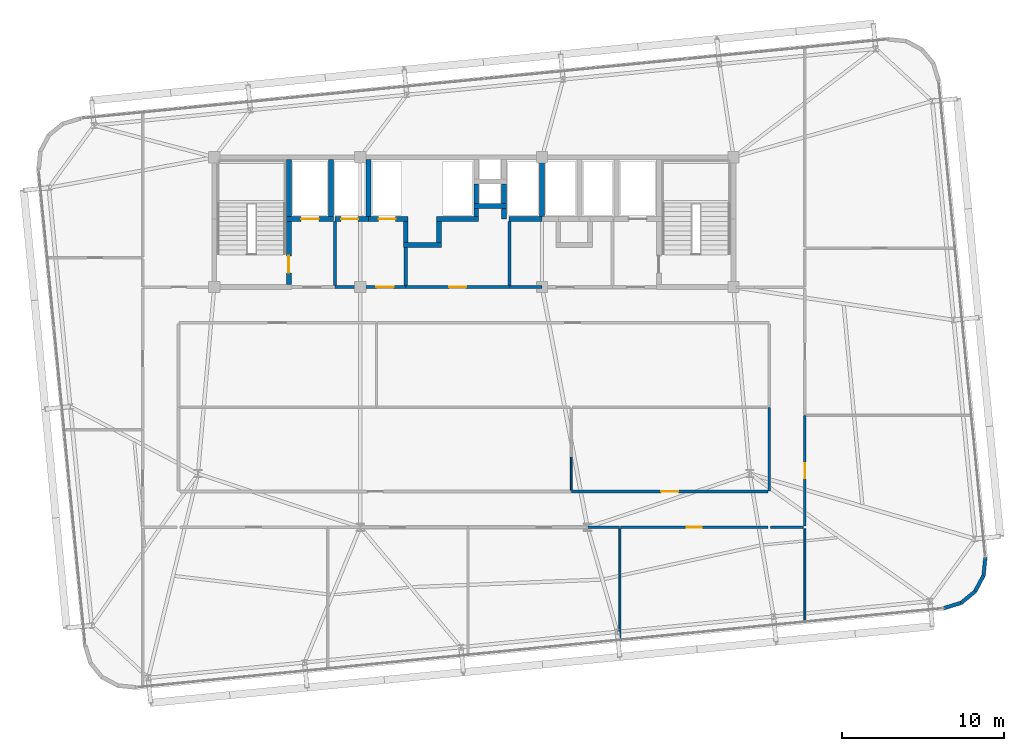
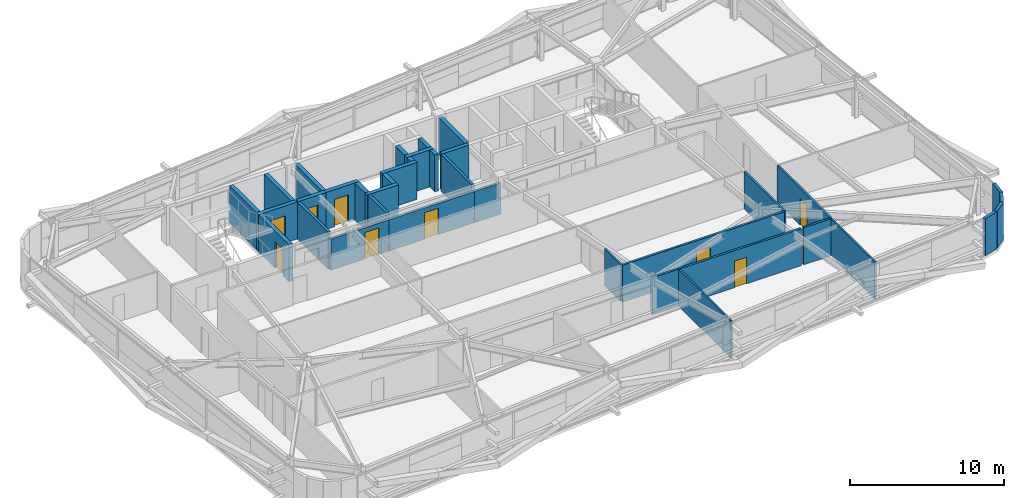
# One storey, part 42 of 47: 37 walls, 9 doors, 9 openings.
"""IFC4 building model written with IfcOpenShell, lengths in metres."""

from ifc_helpers import new_model, si_unit, direction, frame, frame_2d, origin, place, context, subcontext, project, spatial, rectangle, extrude, source, transform, mapped, material, layer, layer_set, type_object, element, fill, save


model = new_model("IFC4")

# Units and contexts
model_context = context("Model", 3, precision=1e-05, world=origin(), true_north=direction((0.0, 1.0)))
body_context = subcontext(model_context, "Body", "Model", "MODEL_VIEW")
ifc_project = project(units=[si_unit("LENGTHUNIT", "METRE"), si_unit("AREAUNIT", "SQUARE_METRE"), si_unit("VOLUMEUNIT", "CUBIC_METRE"), si_unit("PLANEANGLEUNIT", "RADIAN"), si_unit("MASSUNIT", "GRAM", prefix="KILO")], contexts=[model_context])

# Site, building, storey
site_placement = place(None, origin())
site = spatial("IfcSite", under=ifc_project, at=site_placement, CompositionType="ELEMENT")
building_placement = place(site_placement, origin())
building = spatial("IfcBuilding", under=site, at=building_placement, Name="Taldren Reach Tower", CompositionType="ELEMENT")
storey_placement = place(building_placement, frame((0.0, 0.0, 90.300048828125)))
storey = spatial("IfcBuildingStorey", under=building, at=storey_placement, Name="L27", CompositionType="ELEMENT", Elevation=90.300048828125)

# Walls
ifc_material_1 = material(Name="Pale Champagne Anodised Aluminium Cladding", Category="aluminium")
ifc_layer_1 = layer(ifc_material_1, 0.04, Name="Pale Champagne Anodised Aluminium Cladding", Category="aluminium")
ifc_material_2 = material(Name="Mineral Wool Acoustic Insulation", Category="insulation")
ifc_layer_2 = layer(ifc_material_2, 0.06, Name="Mineral Wool Acoustic Insulation", Category="insulation")
ifc_material_3 = material(Name="Steel Gr 350 (C350L0)", Category="steel")
ifc_layer_3 = layer(ifc_material_3, 0.12, Name="Steel Gr 350 (C350L0)", Category="steel")
ifc_layer_set_1 = layer_set([ifc_layer_1, ifc_layer_2, ifc_layer_3], Name="Pale Champagne Aluminium Cladding and Steel Gr 350 Stud Framing")
wall_type_1 = type_object("IfcWallType", Name="EW-CRN-220", PredefinedType="SOLIDWALL", material=ifc_layer_set_1)
shared_shape_1 = source(origin(), body_context, "Body", "SweptSolid", [
    extrude(rectangle(XDim=1.115966796875, YDim=0.219970703125, at=frame_2d((0.55810546875, 0.0))), origin(), (0.0, 0.0, 1.0), 2.929931640625),
])
for number, where, z_axis, x_axis, name in (
    (1, (65.01708984375, 4.537109375, 0.0), (0.0, 0.0, 1.0), (0.773342870285, 0.633988016432, 0.0), "Rounded-corner pale-metal facade wall L27-SE2"),
    (2, (66.406494140625, 6.228515625, 0.0), (0.0, 0.0, 1.0), (0.09844234778, 0.995142755671, 0.0), "Rounded-corner pale-metal facade wall L27-SE4"),
):
    element("IfcWall", number, at=place(storey_placement, frame(where, z_axis=z_axis, x_axis=x_axis)), inside=storey, type_object=wall_type_1, Name=name, PredefinedType="SOLIDWALL", context=body_context, shape_type="MappedRepresentation", body=[
        mapped(shared_shape_1, transform((0.0, 0.0, 0.0), scale=1.0)),
    ])
shared_shape_2 = source(origin(), body_context, "Body", "SweptSolid", [
    extrude(rectangle(XDim=1.11572265625, YDim=0.219970703125, at=frame_2d((0.557861328125, 0.0))), origin(), (0.0, 0.0, 1.0), 2.929931640625),
])
for number, where, z_axis, x_axis, name in (
    (3, (63.94921875, 4.213623046875, 0.0), (0.0, 0.0, 1.0), (0.957052003726, 0.289916301997, 0.0), "Rounded-corner pale-metal facade wall L27-SE1"),
    (4, (65.880126953125, 5.24462890625, 0.0), (0.0, 0.0, 1.0), (0.471723463201, 0.881746547635, 0.0), "Rounded-corner pale-metal facade wall L27-SE3"),
):
    element("IfcWall", number, at=place(storey_placement, frame(where, z_axis=z_axis, x_axis=x_axis)), inside=storey, type_object=wall_type_1, Name=name, PredefinedType="SOLIDWALL", context=body_context, shape_type="MappedRepresentation", body=[
        mapped(shared_shape_2, transform((0.0, 0.0, 0.0), scale=1.0)),
    ])

# Wall, opening, door
ifc_material_4 = material(Name="Concrete S50 (50 MPa)", Category="concrete")
ifc_layer_4 = layer(ifc_material_4, 0.199951171875)
ifc_layer_set_2 = layer_set([ifc_layer_4], Name="Concrete S50 (50 MPa)")
wall_type_2 = type_object("IfcWallType", Name="IW-CORE-200", PredefinedType="SOLIDWALL", material=ifc_layer_set_2)
shared_shape_3 = source(origin(), body_context, "Body", "SweptSolid", [
    extrude(rectangle(XDim=4.35009765625, YDim=0.199951171875, at=frame_2d((2.175048828125, 0.0))), origin(), (0.0, 0.0, 1.0), 2.469970703125),
])
wall_1_placement = place(storey_placement, frame((30.800048828125, 24.0, 0.0), z_axis=(0.0, 0.0, 1.0), x_axis=(-1.0, 0.0, 0.0)))
wall_1 = element("IfcWall", 5, at=wall_1_placement, inside=storey, type_object=wall_type_2, Name="Rear Core Shear Wall W-INT-L27-033", PredefinedType="SOLIDWALL", context=body_context, shape_type="MappedRepresentation", body=[
    mapped(shared_shape_3, transform((0.0, 0.0, 0.0), scale=1.0)),
])
shared_shape_4 = source(origin(), body_context, "Body", "SweptSolid", [
    extrude(rectangle(XDim=1.050048828125, YDim=2.10009765625, at=frame_2d((0.52490234375, 1.050048828125))), frame((0.0, 0.10986328125, 0.0), z_axis=(0.0, -1.0, 0.0), x_axis=(1.0, 0.0, 0.0)), (0.0, 0.0, 1.0), 0.219970703125),
])
opening_1_placement = place(wall_1_placement, frame((0.75, 0.0, 0.0)))
opening_1 = element("IfcOpeningElement", 6, at=opening_1_placement, cuts=wall_1, Name="Opening DF-105", PredefinedType="OPENING", context=body_context, shape_type="MappedRepresentation", body=[
    mapped(shared_shape_4, transform((0.0, 0.0, 0.0), scale=1.0)),
])
ifc_material_5 = material(Name="Fire-Rated Care and Stair Exit Door")
door_type_1 = type_object("IfcDoorType", Name="ID-FIRE-105", OperationType="NOTDEFINED", PredefinedType="DOOR", material=ifc_material_5)
shared_shape_5 = source(origin(), body_context, "Body", "SweptSolid", [
    extrude(rectangle(XDim=1.050048828125, YDim=2.10009765625, at=frame_2d((0.52490234375, 1.050048828125))), frame((0.0, 0.02490234375, 0.0), z_axis=(0.0, -1.0, 0.0), x_axis=(1.0, 0.0, 0.0)), (0.0, 0.0, 1.0), 0.050048828125),
])
door_1_placement = place(opening_1_placement, frame((1.050048828125, 0.0, 0.0), z_axis=(0.0, 0.0, 1.0), x_axis=(-1.0, 0.0, 0.0)))
door_1 = element("IfcDoor", 7, at=door_1_placement, inside=storey, type_object=door_type_1, Name="Interior Door DR-L27-005", OperationType="SINGLE_SWING_RIGHT", OverallHeight=2.10009765625, OverallWidth=1.050048828125, PredefinedType="DOOR", context=body_context, shape_type="MappedRepresentation", body=[
    mapped(shared_shape_5, transform((0.0, 0.0, 0.0), scale=1.0)),
])
fill(opening_1, door_1)

shared_shape_6 = source(origin(), body_context, "Body", "SweptSolid", [
    extrude(rectangle(XDim=6.39990234375, YDim=0.199951171875, at=frame_2d((3.199951171875, 0.0))), origin(), (0.0, 0.0, 1.0), 2.469970703125),
])
wall_2_placement = place(storey_placement, frame((37.199951171875, 24.0, 0.0), z_axis=(0.0, 0.0, 1.0), x_axis=(-1.0, 0.0, 0.0)))
wall_2 = element("IfcWall", 8, at=wall_2_placement, inside=storey, type_object=wall_type_2, Name="Rear Core Shear Wall W-INT-L27-043", PredefinedType="SOLIDWALL", context=body_context, shape_type="MappedRepresentation", body=[
    mapped(shared_shape_6, transform((0.0, 0.0, 0.0), scale=1.0)),
])
opening_2_placement = place(wall_2_placement, frame((2.675048828125, 0.0, 0.0)))
opening_2 = element("IfcOpeningElement", 9, at=opening_2_placement, cuts=wall_2, Name="Opening DF-105", PredefinedType="OPENING", context=body_context, shape_type="MappedRepresentation", body=[
    mapped(shared_shape_4, transform((0.0, 0.0, 0.0), scale=1.0)),
])
door_2_placement = place(opening_2_placement, frame((1.050048828125, 0.0, 0.0), z_axis=(0.0, 0.0, 1.0), x_axis=(-1.0, 0.0, 0.0)))
door_2 = element("IfcDoor", 10, at=door_2_placement, inside=storey, type_object=door_type_1, Name="Interior Door DR-L27-006", OperationType="SINGLE_SWING_RIGHT", OverallHeight=2.10009765625, OverallWidth=1.050048828125, PredefinedType="DOOR", context=body_context, shape_type="MappedRepresentation", body=[
    mapped(shared_shape_5, transform((0.0, 0.0, 0.0), scale=1.0)),
])
fill(opening_2, door_2)

# Walls
shared_shape_7 = source(origin(), body_context, "Body", "SweptSolid", [
    extrude(rectangle(XDim=2.0, YDim=0.199951171875, at=frame_2d((1.0, 0.0))), origin(), (0.0, 0.0, 1.0), 2.469970703125),
])
wall_3_placement = place(storey_placement, frame((39.199951171875, 24.0, 0.0), z_axis=(0.0, 0.0, 1.0), x_axis=(-1.0, 0.0, 0.0)))
element("IfcWall", 11, at=wall_3_placement, inside=storey, type_object=wall_type_2, Name="Rear Core Shear Wall W-INT-L27-044 part 2", PredefinedType="SOLIDWALL", context=body_context, shape_type="MappedRepresentation", body=[
    mapped(shared_shape_7, transform((0.0, 0.0, 0.0), scale=1.0)),
])
ifc_material_6 = material(Name="Fire-Rated Acoustic Plasterboard Stud Wall", Category="gypsum")
ifc_layer_5 = layer(ifc_material_6, 0.159912109375)
ifc_layer_set_3 = layer_set([ifc_layer_5], Name="Fire-Rated Acoustic Plasterboard Stud Wall")
wall_type_3 = type_object("IfcWallType", Name="IW-FIRE-160", PredefinedType="PARTITIONING", material=ifc_layer_set_3)
shared_shape_8 = source(origin(), body_context, "Body", "SweptSolid", [
    extrude(rectangle(XDim=2.0400390625, YDim=0.159912109375, at=frame_2d((1.02001953125, 0.0))), origin(), (0.0, 0.0, 1.0), 2.929931640625),
])
wall_4_placement = place(storey_placement, frame((55.320068359375, 9.199951171875, 0.0), z_axis=(0.0, 0.0, 1.0), x_axis=(-1.0, 0.0, 0.0)))
element("IfcWall", 12, at=wall_4_placement, inside=storey, type_object=wall_type_3, Name="Interior Partition Wall W-INT-L27-052", PredefinedType="PARTITIONING", context=body_context, shape_type="MappedRepresentation", body=[
    mapped(shared_shape_8, transform((0.0, 0.0, 0.0), scale=1.0)),
])
shared_shape_9 = source(origin(), body_context, "Body", "SweptSolid", [
    extrude(rectangle(XDim=5.15966796875, YDim=0.159912109375, at=frame_2d((2.579833984375, 0.0))), origin(), (0.0, 0.0, 1.0), 2.929931640625),
])
wall_5_placement = place(storey_placement, frame((53.199951171875, 11.420166015625, 0.0), z_axis=(0.0, 0.0, 1.0), x_axis=(0.0, 1.0, 0.0)))
element("IfcWall", 13, at=wall_5_placement, inside=storey, type_object=wall_type_3, Name="Interior Partition Wall W-INT-L27-046", PredefinedType="PARTITIONING", context=body_context, shape_type="MappedRepresentation", body=[
    mapped(shared_shape_9, transform((0.0, 0.0, 0.0), scale=1.0)),
])

# Wall, opening, door
shared_shape_10 = source(origin(), body_context, "Body", "SweptSolid", [
    extrude(rectangle(XDim=12.099853515625, YDim=0.159912109375, at=frame_2d((6.0498046875, 0.0))), origin(), (0.0, 0.0, 1.0), 2.929931640625),
])
wall_6_placement = place(storey_placement, frame((41.020263671875, 11.39990234375, 0.0), z_axis=(0.0, 0.0, 1.0), x_axis=(1.0, 0.0, 0.0)))
wall_6 = element("IfcWall", 14, at=wall_6_placement, inside=storey, type_object=wall_type_3, Name="Interior Partition Wall W-INT-L27-060", PredefinedType="PARTITIONING", context=body_context, shape_type="MappedRepresentation", body=[
    mapped(shared_shape_10, transform((0.0, 0.0, 0.0), scale=1.0)),
])
shared_shape_11 = source(origin(), body_context, "Body", "SweptSolid", [
    extrude(rectangle(XDim=1.050048828125, YDim=2.10009765625, at=frame_2d((0.52490234375, 1.050048828125))), frame((0.0, 0.08984375, 0.0), z_axis=(0.0, -1.0, 0.0), x_axis=(1.0, 0.0, 0.0)), (0.0, 0.0, 1.0), 0.179931640625),
])
opening_3_placement = place(wall_6_placement, frame((5.52490234375, 0.0, 0.0)))
opening_3 = element("IfcOpeningElement", 15, at=opening_3_placement, cuts=wall_6, Name="Opening DF-105", PredefinedType="OPENING", context=body_context, shape_type="MappedRepresentation", body=[
    mapped(shared_shape_11, transform((0.0, 0.0, 0.0), scale=1.0)),
])
door_3_placement = place(opening_3_placement, origin())
door_3 = element("IfcDoor", 16, at=door_3_placement, inside=storey, type_object=door_type_1, Name="Interior Door DR-L27-016", OperationType="SINGLE_SWING_LEFT", OverallHeight=2.10009765625, OverallWidth=1.050048828125, PredefinedType="DOOR", context=body_context, shape_type="MappedRepresentation", body=[
    mapped(shared_shape_5, transform((0.0, 0.0, 0.0), scale=1.0)),
])
fill(opening_3, door_3)

# Walls
ifc_material_7 = material(Name="Insulated Residential Stud Partition", Category="gypsum")
ifc_layer_6 = layer(ifc_material_7, 0.1201171875)
ifc_layer_set_4 = layer_set([ifc_layer_6], Name="Insulated Residential Stud Partition")
wall_type_4 = type_object("IfcWallType", Name="IW-PART-120", PredefinedType="PARTITIONING", material=ifc_layer_set_4)
shared_shape_12 = source(origin(), body_context, "Body", "SweptSolid", [
    extrude(rectangle(XDim=2.075439453125, YDim=0.1201171875, at=frame_2d((1.03759765625, 0.0))), origin(), (0.0, 0.0, 1.0), 2.929931640625),
])
wall_7_placement = place(storey_placement, frame((41.0, 13.555419921875, 0.0), z_axis=(0.0, 0.0, 1.0), x_axis=(0.0, -1.0, 0.0)))
element("IfcWall", 17, at=wall_7_placement, inside=storey, type_object=wall_type_4, Name="Interior Partition Wall W-INT-L27-065 part 3", PredefinedType="PARTITIONING", context=body_context, shape_type="MappedRepresentation", body=[
    mapped(shared_shape_12, transform((0.0, 0.0, 0.0), scale=1.0)),
])
ifc_material_8 = material(Name="Concrete S65 (65 MPa)", Category="concrete")
ifc_layer_7 = layer(ifc_material_8, 0.300048828125)
ifc_layer_set_5 = layer_set([ifc_layer_7], Name="Concrete S65 (65 MPa)")
wall_type_5 = type_object("IfcWallType", Name="IW-CORE-300", PredefinedType="SHEAR", material=ifc_layer_set_5)
shared_shape_13 = source(origin(), body_context, "Body", "SweptSolid", [
    extrude(rectangle(XDim=3.5, YDim=0.300048828125, at=frame_2d((1.75, 0.0))), origin(), (0.0, 0.0, 1.0), 2.929931640625),
])
for number, where, z_axis, x_axis, name in (
    (18, (23.60009765625, 28.35009765625, 0.0), (0.0, 0.0, 1.0), (0.0, 1.0, 0.0), "Rear Core Shear Wall W-INT-L27-001"),
    (19, (26.199951171875, 28.35009765625, 0.0), (0.0, 0.0, 1.0), (0.0, 1.0, 0.0), "Rear Core Shear Wall W-INT-L27-005"),
    (20, (28.5, 28.35009765625, 0.0), (0.0, 0.0, 1.0), (0.0, 1.0, 0.0), "Rear Core Shear Wall W-INT-L27-029"),
    (21, (39.199951171875, 28.35009765625, 0.0), (0.0, 0.0, 1.0), (0.0, 1.0, 0.0), "Rear Core Shear Wall W-INT-L27-036"),
):
    element("IfcWall", number, at=place(storey_placement, frame(where, z_axis=z_axis, x_axis=x_axis)), inside=storey, type_object=wall_type_5, Name=name, PredefinedType="SHEAR", context=body_context, shape_type="MappedRepresentation", body=[
        mapped(shared_shape_13, transform((0.0, 0.0, 0.0), scale=1.0)),
    ])

# Wall, opening, door
shared_shape_14 = source(origin(), body_context, "Body", "SweptSolid", [
    extrude(rectangle(XDim=3.900146484375, YDim=0.300048828125, at=frame_2d((1.9501953125, 0.0))), origin(), (0.0, 0.0, 1.0), 2.929931640625),
])
wall_8_placement = place(storey_placement, frame((23.60009765625, 24.14990234375, 0.0), z_axis=(0.0, 0.0, 1.0), x_axis=(0.0, 1.0, 0.0)))
wall_8 = element("IfcWall", 22, at=wall_8_placement, inside=storey, type_object=wall_type_5, Name="Rear Core Shear Wall W-INT-L27-002", PredefinedType="SHEAR", context=body_context, shape_type="MappedRepresentation", body=[
    mapped(shared_shape_14, transform((0.0, 0.0, 0.0), scale=1.0)),
])
shared_shape_15 = source(origin(), body_context, "Body", "SweptSolid", [
    extrude(rectangle(XDim=1.050048828125, YDim=2.10009765625, at=frame_2d((0.52490234375, 1.050048828125))), frame((0.0, 0.16015625, 0.0), z_axis=(0.0, -1.0, 0.0), x_axis=(1.0, 0.0, 0.0)), (0.0, 0.0, 1.0), 0.320068359375),
])
opening_4_placement = place(wall_8_placement, frame((0.72509765625, 0.0, 0.0)))
opening_4 = element("IfcOpeningElement", 23, at=opening_4_placement, cuts=wall_8, Name="Opening DF-105", PredefinedType="OPENING", context=body_context, shape_type="MappedRepresentation", body=[
    mapped(shared_shape_15, transform((0.0, 0.0, 0.0), scale=1.0)),
])
door_4_placement = place(opening_4_placement, origin())
door_4 = element("IfcDoor", 24, at=door_4_placement, inside=storey, type_object=door_type_1, Name="Fire Exit Stair Door DR-L27-001", OperationType="SINGLE_SWING_LEFT", OverallHeight=2.10009765625, OverallWidth=1.050048828125, PredefinedType="DOOR", context=body_context, shape_type="MappedRepresentation", body=[
    mapped(shared_shape_5, transform((0.0, 0.0, 0.0), scale=1.0)),
])
fill(opening_4, door_4)

shared_shape_16 = source(origin(), body_context, "Body", "SweptSolid", [
    extrude(rectangle(XDim=2.900146484375, YDim=0.300048828125, at=frame_2d((1.4501953125, 0.0))), origin(), (0.0, 0.0, 1.0), 2.929931640625),
])
wall_9_placement = place(storey_placement, frame((23.449951171875, 28.199951171875, 0.0), z_axis=(0.0, 0.0, 1.0), x_axis=(1.0, 0.0, 0.0)))
wall_9 = element("IfcWall", 25, at=wall_9_placement, inside=storey, type_object=wall_type_5, Name="Rear Core Shear Wall W-INT-L27-004", PredefinedType="SHEAR", context=body_context, shape_type="MappedRepresentation", body=[
    mapped(shared_shape_16, transform((0.0, 0.0, 0.0), scale=1.0)),
])
shared_shape_17 = source(origin(), body_context, "Body", "SweptSolid", [
    extrude(rectangle(XDim=1.10009765625, YDim=2.14990234375, at=frame_2d((0.550048828125, 1.074951171875))), frame((0.0, 0.16015625, 0.0), z_axis=(0.0, -1.0, 0.0), x_axis=(1.0, 0.0, 0.0)), (0.0, 0.0, 1.0), 0.320068359375),
])
opening_5_placement = place(wall_9_placement, frame((0.89990234375, 0.0, 0.0)))
opening_5 = element("IfcOpeningElement", 26, at=opening_5_placement, cuts=wall_9, Name="Opening LD-FL1", PredefinedType="OPENING", context=body_context, shape_type="MappedRepresentation", body=[
    mapped(shared_shape_17, transform((0.0, 0.0, 0.0), scale=1.0)),
])
ifc_material_9 = material(Name="Stainless Steel Gr 316 Emergency Lift Landing Door", Category="steel")
door_type_2 = type_object("IfcDoorType", Name="LD-EMG-110", OperationType="SLIDING_TO_LEFT", PredefinedType="DOOR", material=ifc_material_9)
shared_shape_18 = source(origin(), body_context, "Body", "SweptSolid", [
    extrude(rectangle(XDim=1.10009765625, YDim=2.14990234375, at=frame_2d((0.550048828125, 1.074951171875))), frame((0.0, 0.02490234375, 0.0), z_axis=(0.0, -1.0, 0.0), x_axis=(1.0, 0.0, 0.0)), (0.0, 0.0, 1.0), 0.050048828125),
])
door_5_placement = place(opening_5_placement, origin())
door_5 = element("IfcDoor", 27, at=door_5_placement, inside=storey, type_object=door_type_2, Name="Lift Landing Door LD-FL1-L27", OperationType="SLIDING_TO_LEFT", OverallHeight=2.14990234375, OverallWidth=1.10009765625, PredefinedType="DOOR", context=body_context, shape_type="MappedRepresentation", body=[
    mapped(shared_shape_18, transform((0.0, 0.0, 0.0), scale=1.0)),
])
fill(opening_5, door_5)

# Walls
shared_shape_19 = source(origin(), body_context, "Body", "SweptSolid", [
    extrude(rectangle(XDim=3.949951171875, YDim=0.199951171875, at=frame_2d((1.97509765625, 0.0))), origin(), (0.0, 0.0, 1.0), 2.929931640625),
])
for number, where, z_axis, x_axis, name in (
    (28, (26.449951171875, 24.10009765625, 0.0), (0.0, 0.0, 1.0), (0.0, 1.0, 0.0), "Rear Core Shear Wall W-INT-L27-006"),
    (29, (37.199951171875, 28.050048828125, 0.0), (0.0, 0.0, 1.0), (0.0, -1.0, 0.0), "Rear Core Shear Wall W-INT-L27-042"),
):
    element("IfcWall", number, at=place(storey_placement, frame(where, z_axis=z_axis, x_axis=x_axis)), inside=storey, type_object=wall_type_2, Name=name, PredefinedType="SOLIDWALL", context=body_context, shape_type="MappedRepresentation", body=[
        mapped(shared_shape_19, transform((0.0, 0.0, 0.0), scale=1.0)),
    ])
shared_shape_20 = source(origin(), body_context, "Body", "SweptSolid", [
    extrude(rectangle(XDim=2.0, YDim=0.300048828125, at=frame_2d((1.0, 0.0))), origin(), (0.0, 0.0, 1.0), 2.929931640625),
])
wall_10_placement = place(storey_placement, frame((35.0, 29.0, 0.0), z_axis=(0.0, 0.0, 1.0), x_axis=(1.0, 0.0, 0.0)))
element("IfcWall", 30, at=wall_10_placement, inside=storey, type_object=wall_type_5, Name="Rear Core Shear Wall W-INT-L27-020", PredefinedType="SHEAR", context=body_context, shape_type="MappedRepresentation", body=[
    mapped(shared_shape_20, transform((0.0, 0.0, 0.0), scale=1.0)),
])
shared_shape_21 = source(origin(), body_context, "Body", "SweptSolid", [
    extrude(rectangle(XDim=1.2001953125, YDim=0.300048828125, at=frame_2d((0.60009765625, 0.0))), origin(), (0.0, 0.0, 1.0), 2.929931640625),
])
for number, where, z_axis, x_axis, name in (
    (31, (35.14990234375, 30.35009765625, 0.0), (0.0, 0.0, 1.0), (0.0, -1.0, 0.0), "Rear Core Shear Wall W-INT-L27-018"),
    (32, (36.85009765625, 29.14990234375, 0.0), (0.0, 0.0, 1.0), (0.0, 1.0, 0.0), "Rear Core Shear Wall W-INT-L27-019"),
):
    element("IfcWall", number, at=place(storey_placement, frame(where, z_axis=z_axis, x_axis=x_axis)), inside=storey, type_object=wall_type_5, Name=name, PredefinedType="SHEAR", context=body_context, shape_type="MappedRepresentation", body=[
        mapped(shared_shape_21, transform((0.0, 0.0, 0.0), scale=1.0)),
    ])
shared_shape_22 = source(origin(), body_context, "Body", "SweptSolid", [
    extrude(rectangle(XDim=1.300048828125, YDim=0.300048828125, at=frame_2d((0.64990234375, 0.0))), origin(), (0.0, 0.0, 1.0), 2.929931640625),
])
for number, where, z_axis, x_axis, name in (
    (33, (30.800048828125, 28.050048828125, 0.0), (0.0, 0.0, 1.0), (0.0, -1.0, 0.0), "Rear Core Shear Wall W-INT-L27-021"),
    (34, (32.85009765625, 26.75, 0.0), (0.0, 0.0, 1.0), (0.0, 1.0, 0.0), "Rear Core Shear Wall W-INT-L27-023"),
):
    element("IfcWall", number, at=place(storey_placement, frame(where, z_axis=z_axis, x_axis=x_axis)), inside=storey, type_object=wall_type_5, Name=name, PredefinedType="SHEAR", context=body_context, shape_type="MappedRepresentation", body=[
        mapped(shared_shape_22, transform((0.0, 0.0, 0.0), scale=1.0)),
    ])

# Wall, opening, door
shared_shape_23 = source(origin(), body_context, "Body", "SweptSolid", [
    extrude(rectangle(XDim=2.070068359375, YDim=0.300048828125, at=frame_2d((1.03515625, 0.0))), origin(), (0.0, 0.0, 1.0), 2.929931640625),
])
wall_11_placement = place(storey_placement, frame((26.429931640625, 28.199951171875, 0.0), z_axis=(0.0, 0.0, 1.0), x_axis=(1.0, 0.0, 0.0)))
wall_11 = element("IfcWall", 35, at=wall_11_placement, inside=storey, type_object=wall_type_5, Name="Rear Core Shear Wall W-INT-L27-030", PredefinedType="SHEAR", context=body_context, shape_type="MappedRepresentation", body=[
    mapped(shared_shape_23, transform((0.0, 0.0, 0.0), scale=1.0)),
])
shared_shape_24 = source(origin(), body_context, "Body", "SweptSolid", [
    extrude(rectangle(XDim=1.050048828125, YDim=2.14990234375, at=frame_2d((0.52490234375, 1.074951171875))), frame((0.0, 0.16015625, 0.0), z_axis=(0.0, -1.0, 0.0), x_axis=(1.0, 0.0, 0.0)), (0.0, 0.0, 1.0), 0.320068359375),
])
opening_6_placement = place(wall_11_placement, frame((0.39501953125, 0.0, 0.0)))
opening_6 = element("IfcOpeningElement", 36, at=opening_6_placement, cuts=wall_11, Name="Opening LD-PL1", PredefinedType="OPENING", context=body_context, shape_type="MappedRepresentation", body=[
    mapped(shared_shape_24, transform((0.0, 0.0, 0.0), scale=1.0)),
])
ifc_material_10 = material(Name="Stainless Steel Gr 316 Passenger Lift Landing Door", Category="steel")
door_type_3 = type_object("IfcDoorType", Name="LD-PAS-105", OperationType="SLIDING_TO_LEFT", PredefinedType="DOOR", material=ifc_material_10)
shared_shape_25 = source(origin(), body_context, "Body", "SweptSolid", [
    extrude(rectangle(XDim=1.050048828125, YDim=2.14990234375, at=frame_2d((0.52490234375, 1.074951171875))), frame((0.0, 0.02490234375, 0.0), z_axis=(0.0, -1.0, 0.0), x_axis=(1.0, 0.0, 0.0)), (0.0, 0.0, 1.0), 0.050048828125),
])
door_6_placement = place(opening_6_placement, origin())
door_6 = element("IfcDoor", 37, at=door_6_placement, inside=storey, type_object=door_type_3, Name="Lift Landing Door LD-PL1-L27", OperationType="SLIDING_TO_LEFT", OverallHeight=2.14990234375, OverallWidth=1.050048828125, PredefinedType="DOOR", context=body_context, shape_type="MappedRepresentation", body=[
    mapped(shared_shape_25, transform((0.0, 0.0, 0.0), scale=1.0)),
])
fill(opening_6, door_6)

shared_shape_26 = source(origin(), body_context, "Body", "SweptSolid", [
    extrude(rectangle(XDim=2.449951171875, YDim=0.300048828125, at=frame_2d((1.22509765625, 0.0))), origin(), (0.0, 0.0, 1.0), 2.929931640625),
])
wall_12_placement = place(storey_placement, frame((28.5, 28.199951171875, 0.0), z_axis=(0.0, 0.0, 1.0), x_axis=(1.0, 0.0, 0.0)))
wall_12 = element("IfcWall", 38, at=wall_12_placement, inside=storey, type_object=wall_type_5, Name="Rear Core Shear Wall W-INT-L27-031", PredefinedType="SHEAR", context=body_context, shape_type="MappedRepresentation", body=[
    mapped(shared_shape_26, transform((0.0, 0.0, 0.0), scale=1.0)),
])
opening_7_placement = place(wall_12_placement, frame((0.625, 0.0, 0.0)))
opening_7 = element("IfcOpeningElement", 39, at=opening_7_placement, cuts=wall_12, Name="Opening LD-PL2", PredefinedType="OPENING", context=body_context, shape_type="MappedRepresentation", body=[
    mapped(shared_shape_24, transform((0.0, 0.0, 0.0), scale=1.0)),
])
door_7_placement = place(opening_7_placement, origin())
door_7 = element("IfcDoor", 40, at=door_7_placement, inside=storey, type_object=door_type_3, Name="Lift Landing Door LD-PL2-L27", OperationType="SLIDING_TO_LEFT", OverallHeight=2.14990234375, OverallWidth=1.050048828125, PredefinedType="DOOR", context=body_context, shape_type="MappedRepresentation", body=[
    mapped(shared_shape_25, transform((0.0, 0.0, 0.0), scale=1.0)),
])
fill(opening_7, door_7)

# Walls
shared_shape_27 = source(origin(), body_context, "Body", "SweptSolid", [
    extrude(rectangle(XDim=2.349853515625, YDim=0.199951171875, at=frame_2d((1.1748046875, 0.0))), origin(), (0.0, 0.0, 1.0), 2.929931640625),
])
wall_13_placement = place(storey_placement, frame((30.800048828125, 26.449951171875, 0.0), z_axis=(0.0, 0.0, 1.0), x_axis=(0.0, -1.0, 0.0)))
element("IfcWall", 41, at=wall_13_placement, inside=storey, type_object=wall_type_2, Name="Rear Core Shear Wall W-INT-L27-032", PredefinedType="SOLIDWALL", context=body_context, shape_type="MappedRepresentation", body=[
    mapped(shared_shape_27, transform((0.0, 0.0, 0.0), scale=1.0)),
])
shared_shape_28 = source(origin(), body_context, "Body", "SweptSolid", [
    extrude(rectangle(XDim=0.5, YDim=0.300048828125, at=frame_2d((0.25, 0.0))), origin(), (0.0, 0.0, 1.0), 2.929931640625),
])
wall_14_placement = place(storey_placement, frame((35.14990234375, 28.35009765625, 0.0), z_axis=(0.0, 0.0, 1.0), x_axis=(0.0, 1.0, 0.0)))
element("IfcWall", 42, at=wall_14_placement, inside=storey, type_object=wall_type_5, Name="Rear Core Shear Wall W-INT-L27-035", PredefinedType="SHEAR", context=body_context, shape_type="MappedRepresentation", body=[
    mapped(shared_shape_28, transform((0.0, 0.0, 0.0), scale=1.0)),
])
shared_shape_29 = source(origin(), body_context, "Body", "SweptSolid", [
    extrude(rectangle(XDim=2.35009765625, YDim=0.300048828125, at=frame_2d((1.175048828125, 0.0))), origin(), (0.0, 0.0, 1.0), 2.929931640625),
])
wall_15_placement = place(storey_placement, frame((30.64990234375, 26.60009765625, 0.0), z_axis=(0.0, 0.0, 1.0), x_axis=(1.0, 0.0, 0.0)))
element("IfcWall", 43, at=wall_15_placement, inside=storey, type_object=wall_type_5, Name="Rear Core Shear Wall W-INT-L27-022", PredefinedType="SHEAR", context=body_context, shape_type="MappedRepresentation", body=[
    mapped(shared_shape_29, transform((0.0, 0.0, 0.0), scale=1.0)),
])
shared_shape_30 = source(origin(), body_context, "Body", "SweptSolid", [
    extrude(rectangle(XDim=2.60009765625, YDim=0.300048828125, at=frame_2d((1.300048828125, 0.0))), origin(), (0.0, 0.0, 1.0), 2.929931640625),
])
wall_16_placement = place(storey_placement, frame((32.699951171875, 28.199951171875, 0.0), z_axis=(0.0, 0.0, 1.0), x_axis=(1.0, 0.0, 0.0)))
element("IfcWall", 44, at=wall_16_placement, inside=storey, type_object=wall_type_5, Name="Rear Core Shear Wall W-INT-L27-034", PredefinedType="SHEAR", context=body_context, shape_type="MappedRepresentation", body=[
    mapped(shared_shape_30, transform((0.0, 0.0, 0.0), scale=1.0)),
])
shared_shape_31 = source(origin(), body_context, "Body", "SweptSolid", [
    extrude(rectangle(XDim=0.650146484375, YDim=0.300048828125, at=frame_2d((0.3251953125, 0.0))), origin(), (0.0, 0.0, 1.0), 2.929931640625),
])
wall_17_placement = place(storey_placement, frame((36.85009765625, 28.85009765625, 0.0), z_axis=(0.0, 0.0, 1.0), x_axis=(0.0, -1.0, 0.0)))
element("IfcWall", 45, at=wall_17_placement, inside=storey, type_object=wall_type_5, Name="Rear Core Shear Wall W-INT-L27-037", PredefinedType="SHEAR", context=body_context, shape_type="MappedRepresentation", body=[
    mapped(shared_shape_31, transform((0.0, 0.0, 0.0), scale=1.0)),
])
shared_shape_32 = source(origin(), body_context, "Body", "SweptSolid", [
    extrude(rectangle(XDim=2.02001953125, YDim=0.300048828125, at=frame_2d((1.010009765625, 0.0))), origin(), (0.0, 0.0, 1.0), 2.929931640625),
])
wall_18_placement = place(storey_placement, frame((37.179931640625, 28.199951171875, 0.0), z_axis=(0.0, 0.0, 1.0), x_axis=(1.0, 0.0, 0.0)))
element("IfcWall", 46, at=wall_18_placement, inside=storey, type_object=wall_type_5, Name="Rear Core Shear Wall W-INT-L27-038", PredefinedType="SHEAR", context=body_context, shape_type="MappedRepresentation", body=[
    mapped(shared_shape_32, transform((0.0, 0.0, 0.0), scale=1.0)),
])

# Wall, opening, door
shared_shape_33 = source(origin(), body_context, "Body", "SweptSolid", [
    extrude(rectangle(XDim=6.7998046875, YDim=0.159912109375, at=frame_2d((3.39990234375, 0.0))), origin(), (0.0, 0.0, 1.0), 2.929931640625),
])
wall_19_placement = place(storey_placement, frame((55.39990234375, 16.079833984375, 0.0), z_axis=(0.0, 0.0, 1.0), x_axis=(0.0, -1.0, 0.0)))
wall_19 = element("IfcWall", 47, at=wall_19_placement, inside=storey, type_object=wall_type_3, Name="Interior Partition Wall W-INT-L27-055", PredefinedType="PARTITIONING", context=body_context, shape_type="MappedRepresentation", body=[
    mapped(shared_shape_33, transform((0.0, 0.0, 0.0), scale=1.0)),
])
shared_shape_34 = source(origin(), body_context, "Body", "SweptSolid", [
    extrude(rectangle(XDim=0.919921875, YDim=2.10009765625, at=frame_2d((0.4599609375, 1.050048828125))), frame((0.0, 0.08984375, 0.0), z_axis=(0.0, -1.0, 0.0), x_axis=(1.0, 0.0, 0.0)), (0.0, 0.0, 1.0), 0.179931640625),
])
opening_8_placement = place(wall_19_placement, frame((2.93994140625, 0.0, 0.0)))
opening_8 = element("IfcOpeningElement", 48, at=opening_8_placement, cuts=wall_19, Name="Opening DI-092", PredefinedType="OPENING", context=body_context, shape_type="MappedRepresentation", body=[
    mapped(shared_shape_34, transform((0.0, 0.0, 0.0), scale=1.0)),
])
ifc_material_11 = material(Name="Solid-Core Timber Suite Door", Category="wood")
door_type_4 = type_object("IfcDoorType", Name="ID-INT-092", OperationType="NOTDEFINED", PredefinedType="DOOR", material=ifc_material_11)
shared_shape_35 = source(origin(), body_context, "Body", "SweptSolid", [
    extrude(rectangle(XDim=0.919921875, YDim=2.10009765625, at=frame_2d((0.4599609375, 1.050048828125))), frame((0.0, 0.02490234375, 0.0), z_axis=(0.0, -1.0, 0.0), x_axis=(1.0, 0.0, 0.0)), (0.0, 0.0, 1.0), 0.050048828125),
])
door_8_placement = place(opening_8_placement, origin())
door_8 = element("IfcDoor", 49, at=door_8_placement, inside=storey, type_object=door_type_4, Name="Interior Door DR-L27-012", OperationType="SINGLE_SWING_LEFT", OverallHeight=2.10009765625, OverallWidth=0.919921875, PredefinedType="DOOR", context=body_context, shape_type="MappedRepresentation", body=[
    mapped(shared_shape_35, transform((0.0, 0.0, 0.0), scale=1.0)),
])
fill(opening_8, door_8)

shared_shape_36 = source(origin(), body_context, "Body", "SweptSolid", [
    extrude(rectangle(XDim=9.099853515625, YDim=0.159912109375, at=frame_2d((4.5498046875, 0.0))), origin(), (0.0, 0.0, 1.0), 2.929931640625),
])
wall_20_placement = place(storey_placement, frame((53.1201171875, 9.199951171875, 0.0), z_axis=(0.0, 0.0, 1.0), x_axis=(-1.0, 0.0, 0.0)))
wall_20 = element("IfcWall", 50, at=wall_20_placement, inside=storey, type_object=wall_type_3, Name="Interior Partition Wall W-INT-L27-064", PredefinedType="PARTITIONING", context=body_context, shape_type="MappedRepresentation", body=[
    mapped(shared_shape_36, transform((0.0, 0.0, 0.0), scale=1.0)),
])
opening_9_placement = place(wall_20_placement, frame((4.08984375, 0.0, 0.0)))
opening_9 = element("IfcOpeningElement", 51, at=opening_9_placement, cuts=wall_20, Name="Opening DI-092", PredefinedType="OPENING", context=body_context, shape_type="MappedRepresentation", body=[
    mapped(shared_shape_34, transform((0.0, 0.0, 0.0), scale=1.0)),
])
door_9_placement = place(opening_9_placement, origin())
door_9 = element("IfcDoor", 52, at=door_9_placement, inside=storey, type_object=door_type_4, Name="Interior Door DR-L27-020", OperationType="SINGLE_SWING_LEFT", OverallHeight=2.10009765625, OverallWidth=0.919921875, PredefinedType="DOOR", context=body_context, shape_type="MappedRepresentation", body=[
    mapped(shared_shape_35, transform((0.0, 0.0, 0.0), scale=1.0)),
])
fill(opening_9, door_9)

# Walls
shared_shape_37 = source(origin(), body_context, "Body", "SweptSolid", [
    extrude(rectangle(XDim=1.9794921875, YDim=0.159912109375, at=frame_2d((0.98974609375, 0.0))), origin(), (0.0, 0.0, 1.0), 2.929931640625),
])
wall_21_placement = place(storey_placement, frame((43.9794921875, 9.199951171875, 0.0), z_axis=(0.0, 0.0, 1.0), x_axis=(-1.0, 0.0, 0.0)))
element("IfcWall", 53, at=wall_21_placement, inside=storey, type_object=wall_type_3, Name="Interior Partition Wall W-INT-L27-063", PredefinedType="PARTITIONING", context=body_context, shape_type="MappedRepresentation", body=[
    mapped(shared_shape_37, transform((0.0, 0.0, 0.0), scale=1.0)),
])
shared_shape_38 = source(origin(), body_context, "Body", "SweptSolid", [
    extrude(rectangle(XDim=6.774169921875, YDim=0.1201171875, at=frame_2d((3.38720703125, 0.0))), origin(), (0.0, 0.0, 1.0), 2.929931640625),
])
wall_22_placement = place(storey_placement, frame((44.0, 9.1171875, 0.0), z_axis=(0.0, 0.0, 1.0), x_axis=(0.0, -1.0, 0.0)))
element("IfcWall", 54, at=wall_22_placement, inside=storey, type_object=wall_type_4, Name="Interior Partition Wall W-INT-L27-073", PredefinedType="PARTITIONING", context=body_context, shape_type="MappedRepresentation", body=[
    mapped(shared_shape_38, transform((0.0, 0.0, 0.0), scale=1.0)),
])
shared_shape_39 = source(origin(), body_context, "Body", "SweptSolid", [
    extrude(rectangle(XDim=5.657958984375, YDim=0.1201171875, at=frame_2d((2.8291015625, 0.0))), origin(), (0.0, 0.0, 1.0), 2.929931640625),
])
wall_23_placement = place(storey_placement, frame((55.39990234375, 9.117919921875, 0.0), z_axis=(0.0, 0.0, 1.0), x_axis=(0.0, -1.0, 0.0)))
element("IfcWall", 55, at=wall_23_placement, inside=storey, type_object=wall_type_4, Name="Interior Partition Wall W-INT-L27-074", PredefinedType="PARTITIONING", context=body_context, shape_type="MappedRepresentation", body=[
    mapped(shared_shape_39, transform((0.0, 0.0, 0.0), scale=1.0)),
])

save(model, "model.ifc")
